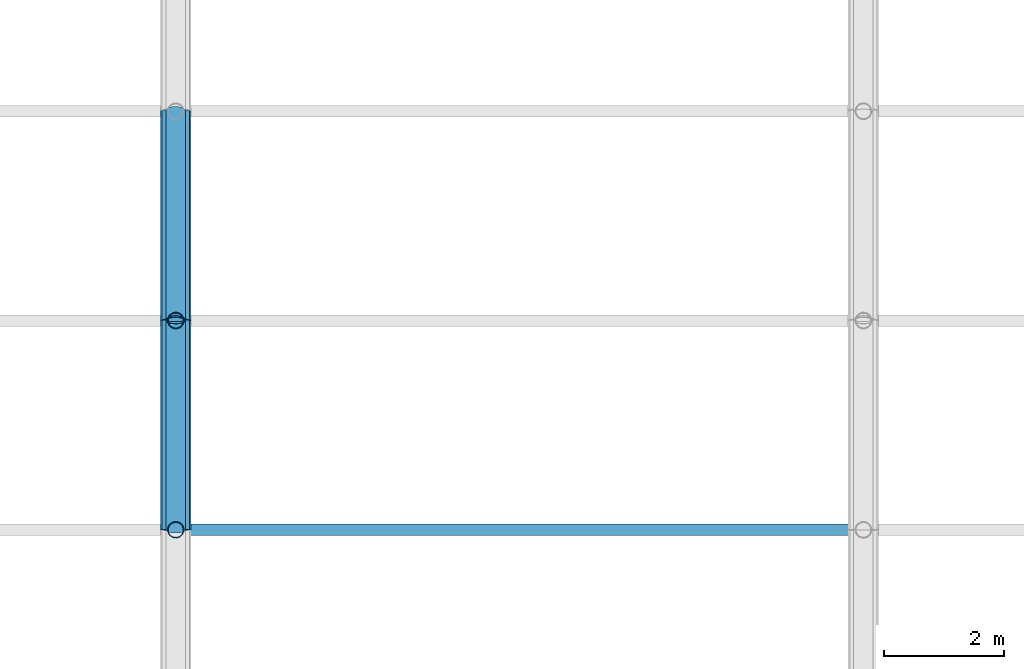
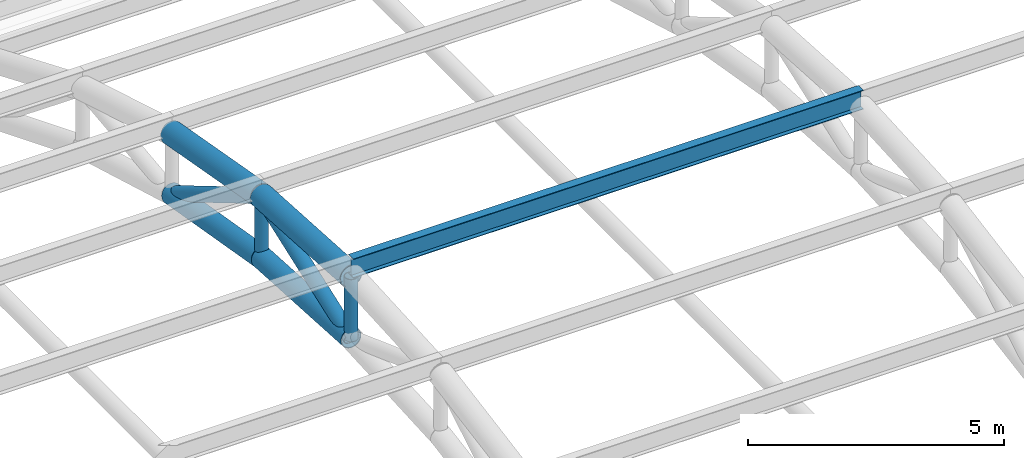
# One storey, part 22 of 154: 9 members.
"""IFC4 building model written with IfcOpenShell, lengths in metres."""

from ifc_helpers import new_model, si_unit, direction, frame, origin, origin_2d, place, context, subcontext, project, spatial, hollow_circle, i_section, extrude, material, material_profile, profile_set, type_object, element, save


model = new_model("IFC4")

# Units and contexts
model_context = context("Model", 3, precision=1e-05, world=origin(), true_north=direction((0.0, 1.0)))
body_context = subcontext(model_context, "Body", "Model", "MODEL_VIEW")
ifc_project = project(units=[si_unit("LENGTHUNIT", "METRE"), si_unit("AREAUNIT", "SQUARE_METRE"), si_unit("VOLUMEUNIT", "CUBIC_METRE"), si_unit("PLANEANGLEUNIT", "RADIAN"), si_unit("MASSUNIT", "GRAM", prefix="KILO")], contexts=[model_context])

# Site, building, storey
site_placement = place(None, origin())
site = spatial("IfcSite", under=ifc_project, at=site_placement, CompositionType="ELEMENT")
building_placement = place(site_placement, origin())
building = spatial("IfcBuilding", under=site, at=building_placement, Name="Ologun Quay Terminus", CompositionType="ELEMENT")
storey_placement = place(building_placement, frame((0.0, 0.0, 13.800048828125)))
storey = spatial("IfcBuildingStorey", under=building, at=storey_placement, Name="L03", CompositionType="ELEMENT", Elevation=13.800048828125)

# Members
ifc_material_1 = material(Name="Steel S355", Category="steel")
ifc_material_profile_1 = material_profile(ifc_material_1, hollow_circle(Radius=0.136474609375, WallThickness=0.010009765625, at=origin_2d()), Name="CHS 273x10")
ifc_profile_set_1 = profile_set([ifc_material_profile_1], Name="Steel S355")
member_type_1 = type_object("IfcMemberType", Name="Arch Truss Vertical Post CHS273", PredefinedType="STRUT", material=ifc_profile_set_1)
member_1_placement = place(storey_placement, frame((34.5, 57.0, 7.239990234375), z_axis=(0.0, 0.0, 1.0), x_axis=(1.0, 0.0, 0.0)))
element("IfcMember", 1, at=member_1_placement, inside=storey, type_object=member_type_1, Name="AW2 Arch Web Post 4-N6", PredefinedType="STRUT", context=body_context, shape_type="SweptSolid", body=[
    extrude(hollow_circle(Radius=0.136474609375, WallThickness=0.010009765625, at=origin_2d()), origin(), (0.0, 0.0, 1.0), 1.47998046875),
])
member_2_placement = place(storey_placement, frame((34.5, 60.5, 7.038818359375), z_axis=(0.0, 0.0, 1.0), x_axis=(1.0, 0.0, 0.0)))
element("IfcMember", 2, at=member_2_placement, inside=storey, type_object=member_type_1, Name="AW2 Arch Web Post 4-N7", PredefinedType="STRUT", context=body_context, shape_type="SweptSolid", body=[
    extrude(hollow_circle(Radius=0.136474609375, WallThickness=0.010009765625, at=origin_2d()), origin(), (0.0, 0.0, 1.0), 1.47216796875),
])
ifc_material_2 = material(Name="Steel S355", Category="steel")
ifc_material_profile_2 = material_profile(ifc_material_2, hollow_circle(Radius=0.161865234375, WallThickness=0.010009765625, at=origin_2d()), Name="CHS 323.9x10")
ifc_profile_set_2 = profile_set([ifc_material_profile_2], Name="Steel S355")
member_type_2 = type_object("IfcMemberType", Name="Arch Truss Web Diagonal CHS323", PredefinedType="BRACE", material=ifc_profile_set_2)
member_3_placement = place(storey_placement, frame((34.5, 57.0, 7.239990234375), z_axis=(0.0, 0.939942650142, 0.34133241048), x_axis=(-1.0, 0.0, 0.0)))
element("IfcMember", 3, at=member_3_placement, inside=storey, type_object=member_type_2, Name="AW1 Arch Web Diagonal 4-P7", PredefinedType="BRACE", context=body_context, shape_type="SweptSolid", body=[
    extrude(hollow_circle(Radius=0.161865234375, WallThickness=0.010009765625, at=origin_2d()), origin(), (0.0, 0.0, 1.0), 3.7236328125),
])
member_4_placement = place(storey_placement, frame((34.5, 60.5, 8.510986328125), z_axis=(0.0, 0.860144332958, -0.510050709715), x_axis=(-1.0, 0.0, 0.0)))
element("IfcMember", 4, at=member_4_placement, inside=storey, type_object=member_type_2, Name="AW1 Arch Web Diagonal 4-P8", PredefinedType="BRACE", context=body_context, shape_type="SweptSolid", body=[
    extrude(hollow_circle(Radius=0.161865234375, WallThickness=0.010009765625, at=origin_2d()), origin(), (0.0, 0.0, 1.0), 4.069091796875),
])
ifc_material_3 = material(Name="Steel S355", Category="steel")
ifc_material_profile_3 = material_profile(ifc_material_3, hollow_circle(Radius=0.228515625, WallThickness=0.01611328125, at=origin_2d()), Name="CHS 457x16")
ifc_profile_set_3 = profile_set([ifc_material_profile_3], Name="Steel S355")
member_type_3 = type_object("IfcMemberType", Name="Parabolic Arch Bottom Chord CHS457", PredefinedType="CHORD", material=ifc_profile_set_3)
member_5_placement = place(storey_placement, frame((34.5, 57.0, 7.239990234375), z_axis=(0.0, 0.998352239869, -0.057382969144), x_axis=(-1.0, 0.0, 0.0)))
element("IfcMember", 5, at=member_5_placement, inside=storey, type_object=member_type_3, Name="AC2 Arch Bottom Chord 4-P7", PredefinedType="CHORD", context=body_context, shape_type="SweptSolid", body=[
    extrude(hollow_circle(Radius=0.228515625, WallThickness=0.01611328125, at=origin_2d()), origin(), (0.0, 0.0, 1.0), 3.505859375),
])
member_6_placement = place(storey_placement, frame((34.5, 60.5, 7.038818359375), z_axis=(0.0, 0.985468449185, -0.16985857547), x_axis=(-1.0, 0.0, 0.0)))
element("IfcMember", 6, at=member_6_placement, inside=storey, type_object=member_type_3, Name="AC2 Arch Bottom Chord 4-P8", PredefinedType="CHORD", context=body_context, shape_type="SweptSolid", body=[
    extrude(hollow_circle(Radius=0.228515625, WallThickness=0.01611328125, at=origin_2d()), origin(), (0.0, 0.0, 1.0), 3.551513671875),
])
ifc_material_4 = material(Name="Steel S355", Category="steel")
ifc_material_profile_4 = material_profile(ifc_material_4, hollow_circle(Radius=0.25390625, WallThickness=0.01611328125, at=origin_2d()), Name="CHS 508x16")
ifc_profile_set_4 = profile_set([ifc_material_profile_4], Name="Steel S355")
member_type_4 = type_object("IfcMemberType", Name="Parabolic Arch Top Chord CHS508", PredefinedType="CHORD", material=ifc_profile_set_4)
member_7_placement = place(storey_placement, frame((34.5, 57.0, 8.719970703125), z_axis=(0.0, 0.998222121157, -0.0596036646), x_axis=(-1.0, 0.0, 0.0)))
element("IfcMember", 7, at=member_7_placement, inside=storey, type_object=member_type_4, Name="Arch Top Chord 4-P7", PredefinedType="CHORD", context=body_context, shape_type="SweptSolid", body=[
    extrude(hollow_circle(Radius=0.25390625, WallThickness=0.01611328125, at=origin_2d()), origin(), (0.0, 0.0, 1.0), 3.50634765625),
])
member_8_placement = place(storey_placement, frame((34.5, 60.5, 8.510986328125), z_axis=(0.0, 0.984344289591, -0.176256402859), x_axis=(-1.0, 0.0, 0.0)))
element("IfcMember", 8, at=member_8_placement, inside=storey, type_object=member_type_4, Name="Arch Top Chord 4-P8", PredefinedType="CHORD", context=body_context, shape_type="SweptSolid", body=[
    extrude(hollow_circle(Radius=0.25390625, WallThickness=0.01611328125, at=origin_2d()), origin(), (0.0, 0.0, 1.0), 3.5556640625),
])
ifc_material_5 = material(Name="Steel S355", Category="steel")
ifc_material_profile_5 = material_profile(ifc_material_5, i_section(OverallWidth=0.1904296875, OverallDepth=0.45703125, WebThickness=0.009033203125, FlangeThickness=0.014404296875, at=origin_2d()), Name="UKB 457x191x74")
ifc_profile_set_5 = profile_set([ifc_material_profile_5], Name="Steel S355")
member_type_5 = type_object("IfcMemberType", Name="Train Shed Primary Roof Purlin UKB457", PredefinedType="PURLIN", material=ifc_profile_set_5)
member_9_placement = place(storey_placement, frame((34.5, 57.0, 8.948486328125), z_axis=(1.0, 0.0, 0.0), x_axis=(0.0, 1.0, 0.0)))
element("IfcMember", 9, at=member_9_placement, inside=storey, type_object=member_type_5, Name="PR1 Roof Purlin B4-N6", PredefinedType="PURLIN", context=body_context, shape_type="SweptSolid", body=[
    extrude(i_section(OverallWidth=0.1904296875, OverallDepth=0.45703125, WebThickness=0.009033203125, FlangeThickness=0.014404296875, at=origin_2d()), origin(), (0.0, 0.0, 1.0), 11.5),
])

save(model, "model.ifc")
